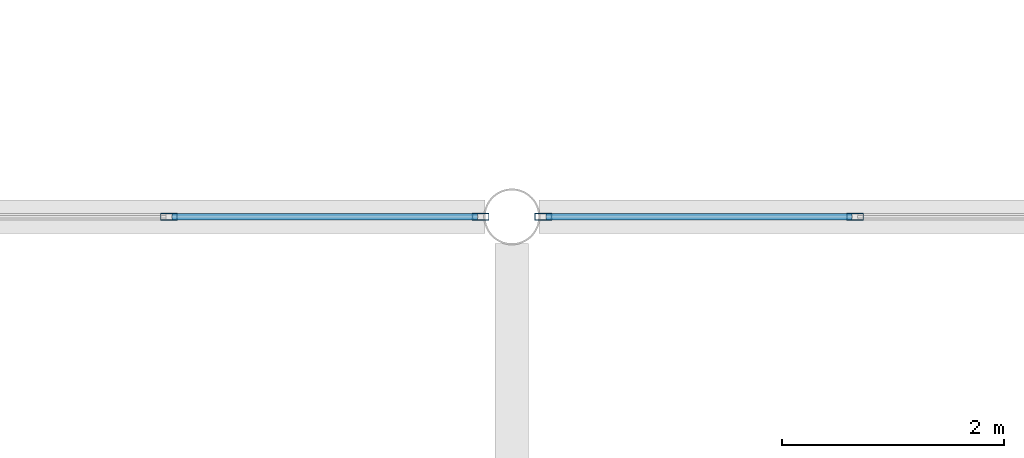
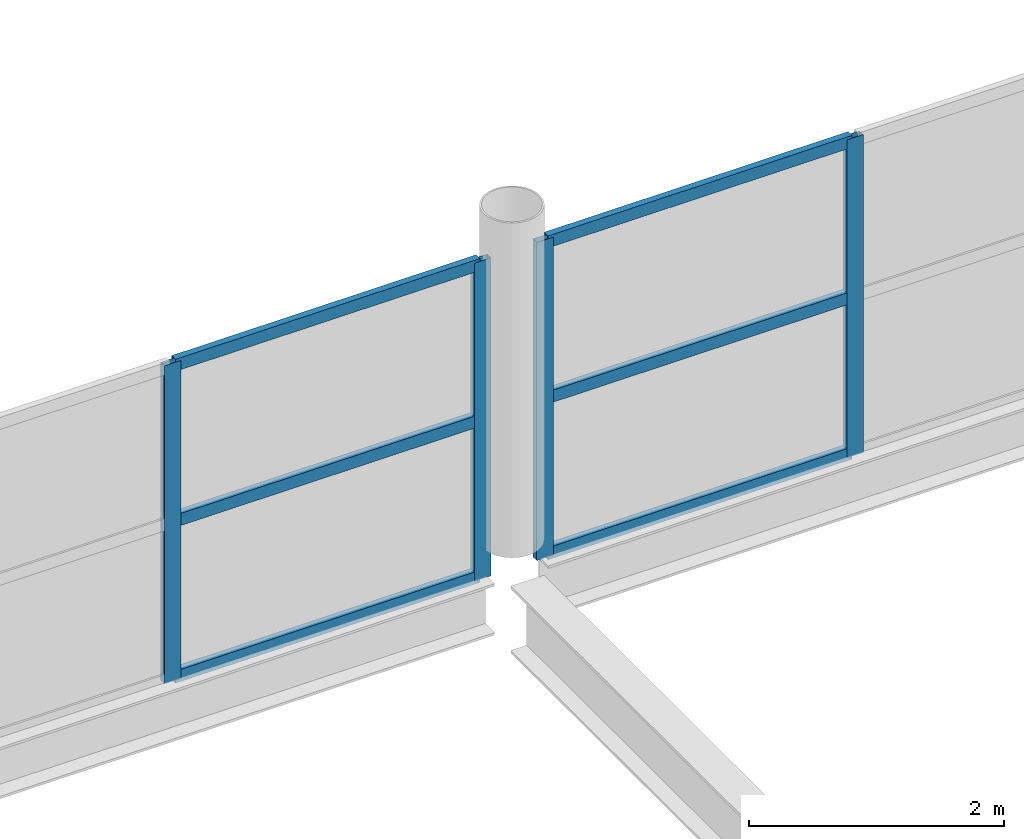
# One storey, part 48 of 134: 10 members, 2 elements without a shape of their own.
"""IFC4 building model written with IfcOpenShell, lengths in metres."""

import ifcopenshell
import ifcopenshell.guid

model = None  # the IFC model being written
_history = None  # IfcOwnerHistory: only IFC2X3 demands one
_inside = {}  # id of a spatial element -> (the spatial element, [elements in it])
_under = {}  # id of a project, library or spatial element -> (it, [spatial elements below it])
_declared = {}  # id of a project -> (the project, [libraries it declares])
_typed = {}  # id of a type object -> (the type object, [elements of that type])
_made_of = {}  # id of a material, layer set ... -> (it, [elements and type objects made of it])


def new_model(schema):
    """Start an empty IFC model of exactly this schema.

    Asked for "IFC4X3", IfcOpenShell would pick the latest addendum, in which some entities
    have other attributes; the version numbers below select the first issue.
    IFC2X3 requires an IfcOwnerHistory on every rooted entity: one is made here for all.
    """
    global model, _history
    if schema == "IFC4X3":
        model = ifcopenshell.file(schema_version=(4, 3, 0, 0))
    else:
        model = ifcopenshell.file(schema=schema)
    _inside.clear()
    _under.clear()
    _declared.clear()
    _typed.clear()
    _made_of.clear()
    _history = None
    if model.schema == "IFC2X3":
        org = make("IfcOrganization", Name="unknown")
        user = make(
            "IfcPersonAndOrganization",
            ThePerson=make("IfcPerson", FamilyName="unknown"),
            TheOrganization=org,
        )
        app = make(
            "IfcApplication",
            ApplicationDeveloper=org,
            Version="unknown",
            ApplicationFullName="unknown",
            ApplicationIdentifier="unknown",
        )
        _history = make(
            "IfcOwnerHistory",
            OwningUser=user,
            OwningApplication=app,
            ChangeAction="ADDED",
            CreationDate=0,
        )
    return model


def make(cls, **values):
    """One entity of the class cls with the attributes given. An attribute that is None is left unset."""
    return model.create_entity(
        cls, **{name: value for name, value in values.items() if value is not None}
    )


def rooted(cls, **values):
    """An entity with a GlobalId (a new one), such as an element, a storey or a relation."""
    return make(cls, GlobalId=ifcopenshell.guid.new(), OwnerHistory=_history, **values)


def si_unit(unit_type, name, prefix=None):
    """IfcSIUnit, for example si_unit("LENGTHUNIT", "METRE", prefix="MILLI")."""
    return make("IfcSIUnit", UnitType=unit_type, Prefix=prefix, Name=name)


def assignment(units):
    """IfcUnitAssignment: the units of a project."""
    return None if units is None else make("IfcUnitAssignment", Units=units)


def point(xyz):
    """IfcCartesianPoint."""
    return None if xyz is None else make("IfcCartesianPoint", Coordinates=xyz)


def direction(xyz):
    """IfcDirection."""
    return None if xyz is None else make("IfcDirection", DirectionRatios=xyz)


def frame(location, z_axis=None, x_axis=None):
    """IfcAxis2Placement3D, a coordinate frame: its origin and axes. An axis left out is left unset."""
    return make(
        "IfcAxis2Placement3D",
        Location=point(location),
        Axis=direction(z_axis),
        RefDirection=direction(x_axis),
    )


def frame_2d(location, x_axis=None):
    """IfcAxis2Placement2D, a coordinate frame in the plane: its origin and x axis."""
    return make(
        "IfcAxis2Placement2D", Location=point(location), RefDirection=direction(x_axis)
    )


def origin():
    """The frame at (0, 0, 0) with its axes left unset."""
    return frame((0.0, 0.0, 0.0))


def origin_2d():
    """The frame at (0, 0) in the plane with its x axis left unset."""
    return frame_2d((0.0, 0.0))


def place(relative_to, where):
    """IfcLocalPlacement: puts the frame where relative to a parent placement (None: the world)."""
    return make(
        "IfcLocalPlacement", PlacementRelTo=relative_to, RelativePlacement=where
    )


def context(
    kind, dimensions, precision=None, world=None, true_north=None, identifier=None
):
    """IfcGeometricRepresentationContext, for example the 3D "Model" context."""
    return make(
        "IfcGeometricRepresentationContext",
        ContextIdentifier=identifier,
        ContextType=kind,
        CoordinateSpaceDimension=dimensions,
        Precision=precision,
        WorldCoordinateSystem=world,
        TrueNorth=true_north,
    )


def subcontext(parent, identifier, kind, view, scale=None):
    """IfcGeometricRepresentationSubContext, for example "Body" below "Model"."""
    return make(
        "IfcGeometricRepresentationSubContext",
        ContextIdentifier=identifier,
        ContextType=kind,
        ParentContext=parent,
        TargetScale=scale,
        TargetView=view,
    )


def project(units=None, contexts=None):
    """IfcProject with its units and contexts."""
    return rooted(
        "IfcProject",
        Name="project",
        RepresentationContexts=contexts,
        UnitsInContext=assignment(units),
    )


def spatial(cls, under=None, at=None, **own):
    """A site, building, storey or space (cls), placed at a placement, below another one or the project."""
    s = rooted(cls, ObjectPlacement=at, **own)
    if under is not None:
        _under.setdefault(under.id(), (under, []))[1].append(s)
    return s


def profile(cls, at=None, kind="AREA", **sizes):
    """A parametric profile (cls). Its sizes go by their IFC names, for example OverallWidth=200.0."""
    return make(cls, ProfileType=kind, Position=at, **sizes)


def hollow_rectangle(**sizes):
    """IfcRectangleHollowProfileDef."""
    return profile("IfcRectangleHollowProfileDef", **sizes)


def extrude(swept, where, along, depth):
    """IfcExtrudedAreaSolid: the profile swept, set in the frame where, extruded along a direction by depth."""
    return make(
        "IfcExtrudedAreaSolid",
        SweptArea=swept,
        Position=where,
        ExtrudedDirection=direction(along),
        Depth=depth,
    )


def shape(context_of_items, identifier, shape_type, items):
    """IfcShapeRepresentation: the items that make up one representation, for example the "Body"."""
    return make(
        "IfcShapeRepresentation",
        ContextOfItems=context_of_items,
        RepresentationIdentifier=identifier,
        RepresentationType=shape_type,
        Items=items,
    )


def material(Name=None, Category=None):
    """IfcMaterial."""
    return make("IfcMaterial", Name=Name, Category=Category)


def layer(
    of_material, thickness, ventilated=None, Name=None, Category=None, Priority=None
):
    """IfcMaterialLayer: one layer of a wall or slab, of a material (None: an air gap)."""
    return make(
        "IfcMaterialLayer",
        Material=of_material,
        LayerThickness=thickness,
        IsVentilated=ventilated,
        Name=Name,
        Category=Category,
        Priority=Priority,
    )


def layer_set(layers, Name=None):
    """IfcMaterialLayerSet."""
    return make("IfcMaterialLayerSet", MaterialLayers=layers, LayerSetName=Name)


def material_profile(
    of_material, cross_section, Name=None, Category=None, Priority=None
):
    """IfcMaterialProfile: a cross section and its material."""
    return make(
        "IfcMaterialProfile",
        Name=Name,
        Material=of_material,
        Profile=cross_section,
        Priority=Priority,
        Category=Category,
    )


def profile_set(profiles, Name=None, composite=None):
    """IfcMaterialProfileSet."""
    return make(
        "IfcMaterialProfileSet",
        Name=Name,
        MaterialProfiles=profiles,
        CompositeProfile=composite,
    )


def made_of(thing, what):
    """Note that an element or type object is made of a material, layer set ...; save() writes the relation."""
    if what is not None:
        _made_of.setdefault(what.id(), (what, []))[1].append(thing)
    return thing


def type_object(cls, material=None, **own):
    """A type object (cls), such as IfcWallType, which elements share."""
    return made_of(rooted(cls, **own), material)


def element(
    cls,
    number,
    at=None,
    inside=None,
    cuts=None,
    type_object=None,
    material=None,
    context=None,
    identifier="Body",
    shape_type=None,
    held_by="IfcProductDefinitionShape",
    body=None,
    shapes=None,
    **own,
):
    """One element of the class cls, such as IfcWall. Its Tag is "e" and its number.

    at: its placement. inside: the storey or other place that contains it. cuts: it is an
    opening in that element (IfcRelVoidsElement). A single representation is given by context,
    identifier, shape_type and body (its items); several are given by shapes. held_by: the class
    of the entity that holds the representations. save() writes the other relations.
    """
    e = rooted(cls, Tag="e%d" % number, ObjectPlacement=at, **own)
    if body is not None:
        shapes = [shape(context, identifier, shape_type, body)]
    if shapes is not None:
        e.Representation = make(held_by, Representations=shapes)
    if inside is not None:
        _inside.setdefault(inside.id(), (inside, []))[1].append(e)
    if cuts is not None:
        rooted(
            "IfcRelVoidsElement", RelatingBuildingElement=cuts, RelatedOpeningElement=e
        )
    if type_object is not None:
        _typed.setdefault(type_object.id(), (type_object, []))[1].append(e)
    return made_of(e, material)


def aggregate(whole, parts):
    """IfcRelAggregates: a whole, such as a stair, and the parts it consists of."""
    return rooted("IfcRelAggregates", RelatingObject=whole, RelatedObjects=parts)


def save(model, path):
    """Write the relations noted so far, then the file.

    IfcRelAggregates (storeys below a building ...), IfcRelContainedInSpatialStructure (elements
    in a storey), IfcRelDefinesByType, IfcRelAssociatesMaterial and IfcRelDeclares: one each for
    every whole, place, type object, material and project.
    """
    for whole, parts in _under.values():
        aggregate(whole, parts)
    for where, things in _inside.values():
        rooted(
            "IfcRelContainedInSpatialStructure",
            RelatedElements=things,
            RelatingStructure=where,
        )
    for kind, things in _typed.values():
        rooted("IfcRelDefinesByType", RelatedObjects=things, RelatingType=kind)
    for what, things in _made_of.values():
        rooted("IfcRelAssociatesMaterial", RelatedObjects=things, RelatingMaterial=what)
    for by, libraries in _declared.values():
        rooted("IfcRelDeclares", RelatingContext=by, RelatedDefinitions=libraries)
    model.write(path)


model = new_model("IFC4")

# Units and contexts
model_context = context("Model", 3, precision=1e-05, world=origin(), true_north=direction((0.0, 1.0)))
body_context = subcontext(model_context, "Body", "Model", "MODEL_VIEW")
ifc_project = project(units=[si_unit("LENGTHUNIT", "METRE"), si_unit("AREAUNIT", "SQUARE_METRE"), si_unit("VOLUMEUNIT", "CUBIC_METRE"), si_unit("PLANEANGLEUNIT", "RADIAN"), si_unit("MASSUNIT", "GRAM", prefix="KILO")], contexts=[model_context])

# Site, building, storey
site_placement = place(None, origin())
site = spatial("IfcSite", under=ifc_project, at=site_placement, CompositionType="ELEMENT")
building_placement = place(site_placement, origin())
building = spatial("IfcBuilding", under=site, at=building_placement, Name="Tamarisk Ironworks Central Station", CompositionType="ELEMENT")
storey_placement = place(building_placement, frame((0.0, 0.0, 12.60009765625)))
storey = spatial("IfcBuildingStorey", under=building, at=storey_placement, Name="L02", CompositionType="ELEMENT", Elevation=12.60009765625)

# Curtain wall, members
ifc_material = material(Name="Anodized aluminium alloy 6063-T6", Category="aluminium")
ifc_layer = layer(ifc_material, 0.179931640625)
ifc_layer_set = layer_set([ifc_layer], Name="Anodized aluminium alloy 6063-T6")
curtain_wall_type = type_object("IfcCurtainWallType", Name="CW-08", PredefinedType="USERDEFINED", material=ifc_layer_set)
curtain_wall_1_placement = place(storey_placement, origin())
curtain_wall_1 = element("IfcCurtainWall", 1, at=curtain_wall_1_placement, inside=storey, type_object=curtain_wall_type, Name="Train shed WN clerestory curtain wall 027", ObjectType="GLAZED CURTAIN WALL", PredefinedType="USERDEFINED")
ifc_material_profile_1 = material_profile(ifc_material, hollow_rectangle(XDim=0.06005859375, YDim=0.14990234375, WallThickness=0.00341796875, at=origin_2d()), Name="ALUM 150x60")
ifc_profile_set_1 = profile_set([ifc_material_profile_1], Name="Anodized aluminium alloy 6063-T6")
member_type_1 = type_object("IfcMemberType", Name="CWM-03", PredefinedType="MULLION", material=ifc_profile_set_1)
member_1_placement = place(storey_placement, frame((32.916015625, 79.199951171875, -0.260009765625), z_axis=(0.0, 0.0, 1.0), x_axis=(0.0, 1.0, 0.0)))
member_1 = element("IfcMember", 2, at=member_1_placement, type_object=member_type_1, Name="CW08 mullion 3", PredefinedType="MULLION", context=body_context, shape_type="SweptSolid", body=[
    extrude(hollow_rectangle(XDim=0.06005859375, YDim=0.14990234375, WallThickness=0.00341796875, at=origin_2d()), origin(), (0.0, 0.0, 1.0), 3.039794921875),
])
member_2_placement = place(storey_placement, frame((35.718017578125, 79.199951171875, -0.260009765625), z_axis=(0.0, 0.0, 1.0), x_axis=(0.0, 1.0, 0.0)))
member_2 = element("IfcMember", 3, at=member_2_placement, type_object=member_type_1, Name="CW08 mullion 4", PredefinedType="MULLION", context=body_context, shape_type="SweptSolid", body=[
    extrude(hollow_rectangle(XDim=0.06005859375, YDim=0.14990234375, WallThickness=0.00341796875, at=origin_2d()), origin(), (0.0, 0.0, 1.0), 3.039794921875),
])

curtain_wall_2_placement = place(storey_placement, origin())
curtain_wall_2 = element("IfcCurtainWall", 4, at=curtain_wall_2_placement, inside=storey, type_object=curtain_wall_type, Name="Train shed WN clerestory curtain wall 036", ObjectType="GLAZED CURTAIN WALL", PredefinedType="USERDEFINED")
member_3_placement = place(storey_placement, frame((36.281982421875, 79.199951171875, -0.260009765625), z_axis=(0.0, 0.0, 1.0), x_axis=(0.0, 1.0, 0.0)))
member_3 = element("IfcMember", 5, at=member_3_placement, type_object=member_type_1, Name="CW08 mullion 1", PredefinedType="MULLION", context=body_context, shape_type="SweptSolid", body=[
    extrude(hollow_rectangle(XDim=0.06005859375, YDim=0.14990234375, WallThickness=0.00341796875, at=origin_2d()), origin(), (0.0, 0.0, 1.0), 3.039794921875),
])
member_4_placement = place(storey_placement, frame((39.08544921875, 79.199951171875, -0.260009765625), z_axis=(0.0, 0.0, 1.0), x_axis=(0.0, 1.0, 0.0)))
member_4 = element("IfcMember", 6, at=member_4_placement, type_object=member_type_1, Name="CW08 mullion 2", PredefinedType="MULLION", context=body_context, shape_type="SweptSolid", body=[
    extrude(hollow_rectangle(XDim=0.06005859375, YDim=0.14990234375, WallThickness=0.00341796875, at=origin_2d()), origin(), (0.0, 0.0, 1.0), 3.039794921875),
])

# Member
ifc_material_profile_2 = material_profile(ifc_material, hollow_rectangle(XDim=0.06005859375, YDim=0.114990234375, WallThickness=0.00341796875, at=origin_2d()), Name="ALUM 115x60")
ifc_profile_set_2 = profile_set([ifc_material_profile_2], Name="Anodized aluminium alloy 6063-T6")
member_type_2 = type_object("IfcMemberType", Name="CWT-03", PredefinedType="USERDEFINED", material=ifc_profile_set_2)
member_5_placement = place(storey_placement, frame((32.94189453125, 79.199951171875, -0.22998046875), z_axis=(1.0, 0.0, 0.0), x_axis=(0.0, 1.0, 0.0)))
member_5 = element("IfcMember", 7, at=member_5_placement, type_object=member_type_2, Name="CW08 transom 3.1", ObjectType="TRANSOM", PredefinedType="USERDEFINED", context=body_context, shape_type="SweptSolid", body=[
    extrude(hollow_rectangle(XDim=0.06005859375, YDim=0.114990234375, WallThickness=0.00341796875, at=origin_2d()), origin(), (0.0, 0.0, 1.0), 2.75),
])

member_6_placement = place(storey_placement, frame((32.94189453125, 79.199951171875, 1.260009765625), z_axis=(1.0, 0.0, 0.0), x_axis=(0.0, 1.0, 0.0)))
member_6 = element("IfcMember", 8, at=member_6_placement, type_object=member_type_2, Name="CW08 transom 3.2", ObjectType="TRANSOM", PredefinedType="USERDEFINED", context=body_context, shape_type="SweptSolid", body=[
    extrude(hollow_rectangle(XDim=0.06005859375, YDim=0.114990234375, WallThickness=0.00341796875, at=origin_2d()), origin(), (0.0, 0.0, 1.0), 2.75),
])

member_7_placement = place(storey_placement, frame((32.94189453125, 79.199951171875, 2.75), z_axis=(1.0, 0.0, 0.0), x_axis=(0.0, 1.0, 0.0)))
member_7 = element("IfcMember", 9, at=member_7_placement, type_object=member_type_2, Name="CW08 transom 3.3", ObjectType="TRANSOM", PredefinedType="USERDEFINED", context=body_context, shape_type="SweptSolid", body=[
    extrude(hollow_rectangle(XDim=0.06005859375, YDim=0.114990234375, WallThickness=0.00341796875, at=origin_2d()), origin(), (0.0, 0.0, 1.0), 2.75),
])

aggregate(curtain_wall_1, [member_1, member_2, member_5, member_6, member_7])

member_8_placement = place(storey_placement, frame((36.30810546875, 79.199951171875, -0.22998046875), z_axis=(1.0, 0.0, 0.0), x_axis=(0.0, 1.0, 0.0)))
member_8 = element("IfcMember", 10, at=member_8_placement, type_object=member_type_2, Name="CW08 transom 1.1", ObjectType="TRANSOM", PredefinedType="USERDEFINED", context=body_context, shape_type="SweptSolid", body=[
    extrude(hollow_rectangle(XDim=0.06005859375, YDim=0.114990234375, WallThickness=0.00341796875, at=origin_2d()), origin(), (0.0, 0.0, 1.0), 2.751220703125),
])

member_9_placement = place(storey_placement, frame((36.30810546875, 79.199951171875, 1.260009765625), z_axis=(1.0, 0.0, 0.0), x_axis=(0.0, 1.0, 0.0)))
member_9 = element("IfcMember", 11, at=member_9_placement, type_object=member_type_2, Name="CW08 transom 1.2", ObjectType="TRANSOM", PredefinedType="USERDEFINED", context=body_context, shape_type="SweptSolid", body=[
    extrude(hollow_rectangle(XDim=0.06005859375, YDim=0.114990234375, WallThickness=0.00341796875, at=origin_2d()), origin(), (0.0, 0.0, 1.0), 2.751220703125),
])

member_10_placement = place(storey_placement, frame((36.30810546875, 79.199951171875, 2.75), z_axis=(1.0, 0.0, 0.0), x_axis=(0.0, 1.0, 0.0)))
member_10 = element("IfcMember", 12, at=member_10_placement, type_object=member_type_2, Name="CW08 transom 1.3", ObjectType="TRANSOM", PredefinedType="USERDEFINED", context=body_context, shape_type="SweptSolid", body=[
    extrude(hollow_rectangle(XDim=0.06005859375, YDim=0.114990234375, WallThickness=0.00341796875, at=origin_2d()), origin(), (0.0, 0.0, 1.0), 2.751220703125),
])

aggregate(curtain_wall_2, [member_3, member_4, member_8, member_9, member_10])

save(model, "model.ifc")
